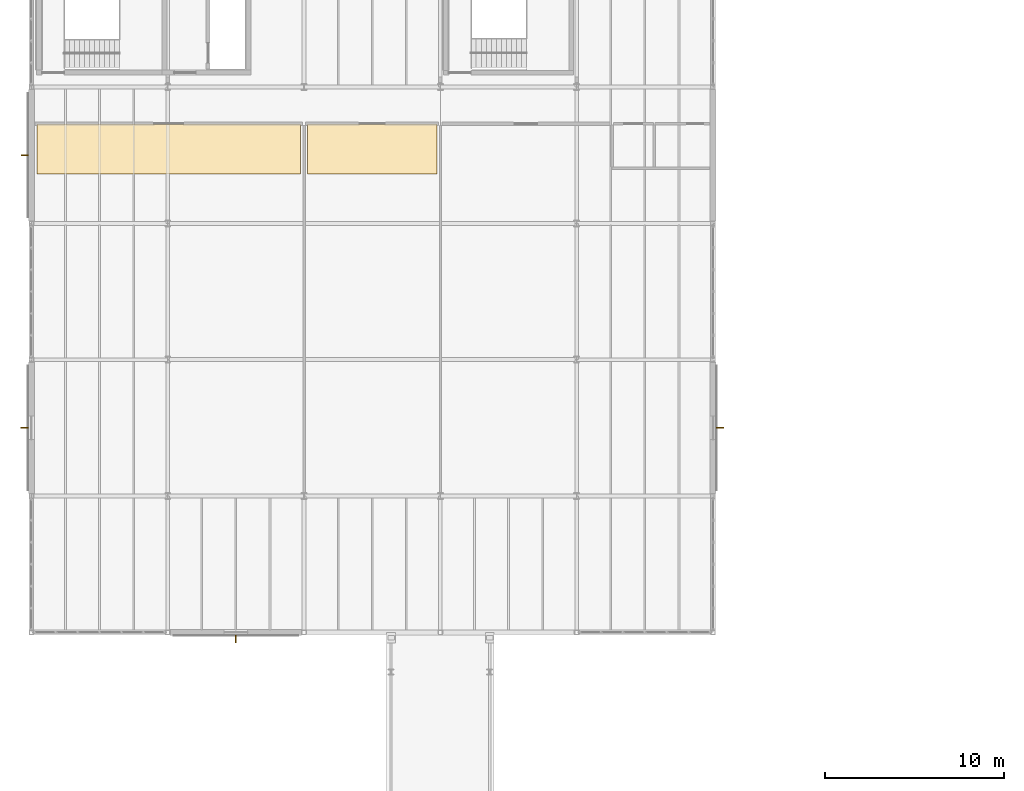
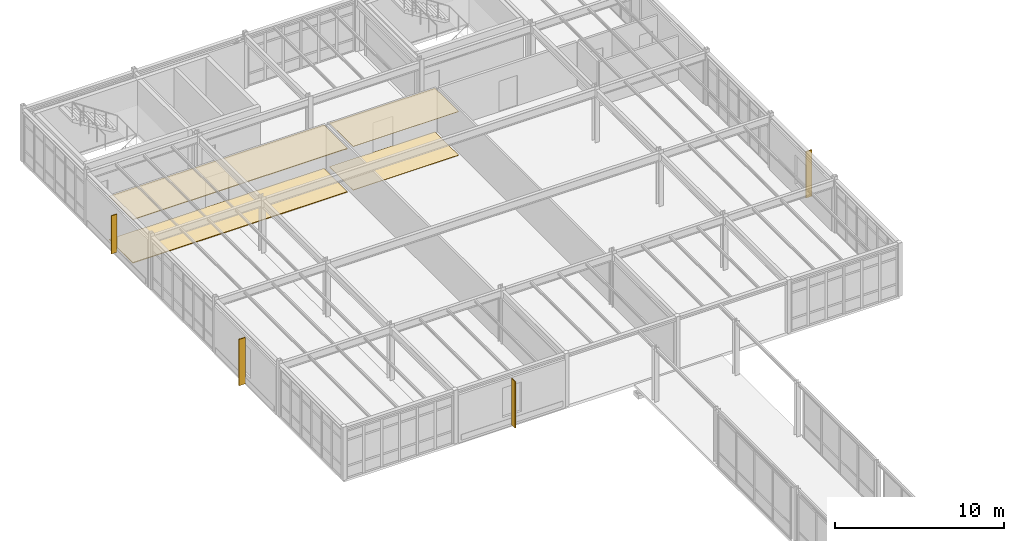
# One storey, part 180 of 189: 4 coverings, 4 shading devices.
"""IFC4 building model written with IfcOpenShell, lengths in metres."""

from ifc_helpers import new_model, si_unit, direction, frame, origin, origin_2d, place, context, subcontext, project, spatial, polyline, rectangle, outline, extrude, material, layer, layer_set, type_object, element, save


model = new_model("IFC4")

# Units and contexts
model_context = context("Model", 3, precision=1e-05, world=origin(), true_north=direction((0.0, 1.0)))
body_context = subcontext(model_context, "Body", "Model", "MODEL_VIEW")
ifc_project = project(units=[si_unit("LENGTHUNIT", "METRE"), si_unit("AREAUNIT", "SQUARE_METRE"), si_unit("VOLUMEUNIT", "CUBIC_METRE"), si_unit("PLANEANGLEUNIT", "RADIAN"), si_unit("MASSUNIT", "GRAM", prefix="KILO")], contexts=[model_context])

# Site, building, storey
site_placement = place(None, origin())
site = spatial("IfcSite", under=ifc_project, at=site_placement, CompositionType="ELEMENT")
building_placement = place(site_placement, origin())
building = spatial("IfcBuilding", under=site, at=building_placement, Name="Montecoro Central Library", CompositionType="ELEMENT")
storey_placement = place(building_placement, frame((0.0, 0.0, 9.179931640625)))
storey = spatial("IfcBuildingStorey", under=building, at=storey_placement, Name="L02", CompositionType="ELEMENT", Elevation=9.179931640625)

# Coverings
ifc_material_1 = material(Name="Acoustic perforated mineral ceiling")
ifc_layer_1 = layer(ifc_material_1, 0.02490234375)
ifc_layer_set_1 = layer_set([ifc_layer_1], Name="Acoustic perforated mineral ceiling")
covering_type_1 = type_object("IfcCoveringType", Name="COV-CLG-01", PredefinedType="CEILING", material=ifc_layer_set_1)
covering_1_placement = place(storey_placement, frame((0.0, 0.0, 3.155029296875)))
element("IfcCovering", 1, at=covering_1_placement, inside=storey, type_object=covering_type_1, Name="CLG-SP-V4-L02-R2P1", PredefinedType="CEILING", context=body_context, shape_type="SweptSolid", body=[
    extrude(outline(polyline([(20.389892578125, 98.949951171875), (27.610107421875, 98.949951171875), (27.610107421875, 101.75), (20.389892578125, 101.75), (20.389892578125, 98.949951171875)])), origin(), (0.0, 0.0, 1.0), 0.025146484375),
])
ifc_layer_2 = layer(ifc_material_1, 0.048095703125)
ifc_layer_set_2 = layer_set([ifc_layer_2], Name="Acoustic perforated mineral ceiling")
covering_type_2 = type_object("IfcCoveringType", Name="COV-CLG-04", PredefinedType="CEILING", material=ifc_layer_set_2)
covering_2_placement = place(storey_placement, frame((0.0, 0.0, 3.132080078125)))
element("IfcCovering", 2, at=covering_2_placement, inside=storey, type_object=covering_type_2, Name="CLG-SP-V4-L02-R1P1", PredefinedType="CEILING", context=body_context, shape_type="SweptSolid", body=[
    extrude(outline(polyline([(5.320068359375, 98.949951171875), (20.010009765625, 98.949951171875), (20.010009765625, 101.75), (5.320068359375, 101.75), (5.320068359375, 98.949951171875)])), origin(), (0.0, 0.0, 1.0), 0.048095703125),
])
ifc_material_2 = material(Name="Neapolitan brass-inlaid terrazzo flooring")
ifc_layer_3 = layer(ifc_material_2, 0.028076171875)
ifc_layer_set_3 = layer_set([ifc_layer_3], Name="Neapolitan brass-inlaid terrazzo flooring")
covering_type_3 = type_object("IfcCoveringType", Name="COV-FLR-01", PredefinedType="FLOORING", material=ifc_layer_set_3)
covering_3_placement = place(storey_placement, origin())
element("IfcCovering", 3, at=covering_3_placement, inside=storey, type_object=covering_type_3, Name="FLR-SP-V4-L02-R2P1", PredefinedType="FLOORING", context=body_context, shape_type="SweptSolid", body=[
    extrude(outline(polyline([(20.389892578125, 98.949951171875), (27.610107421875, 98.949951171875), (27.610107421875, 101.75), (20.389892578125, 101.75), (20.389892578125, 98.949951171875)])), origin(), (0.0, 0.0, 1.0), 0.028076171875),
])
ifc_layer_4 = layer(ifc_material_2, 0.052001953125)
ifc_layer_set_4 = layer_set([ifc_layer_4], Name="Neapolitan brass-inlaid terrazzo flooring")
covering_type_4 = type_object("IfcCoveringType", Name="COV-FLR-04", PredefinedType="FLOORING", material=ifc_layer_set_4)
covering_4_placement = place(storey_placement, origin())
element("IfcCovering", 4, at=covering_4_placement, inside=storey, type_object=covering_type_4, Name="FLR-SP-V4-L02-R1P1", PredefinedType="FLOORING", context=body_context, shape_type="SweptSolid", body=[
    extrude(outline(polyline([(5.320068359375, 98.949951171875), (20.010009765625, 98.949951171875), (20.010009765625, 101.75), (5.320068359375, 101.75), (5.320068359375, 98.949951171875)])), origin(), (0.0, 0.0, 1.0), 0.052001953125),
])

# Shading devices
ifc_material_3 = material(Name="Architectural bronze solar fin", Category="aluminium")
shading_device_type_1 = type_object("IfcShadingDeviceType", Name="SHD-FIN-09", PredefinedType="USERDEFINED", material=ifc_material_3)
for number, where, z_axis, x_axis, name in (
    (5, (16.39990234375, 73.01953125, 0.06005859375), (0.0, 0.0, 1.0), (1.0, 0.0, 0.0), "V4-L02-FIN-S1"),
    (6, (43.380615234375, 84.800048828125, 0.06005859375), (0.0, 0.0, 1.0), (0.0, 1.0, 0.0), "V4-L02-FIN-E1"),
    (7, (4.619384765625, 84.800048828125, 0.06005859375), (0.0, 0.0, 1.0), (0.0, -1.0, 0.0), "V4-L02-FIN-W1"),
):
    element("IfcShadingDevice", number, at=place(storey_placement, frame(where, z_axis=z_axis, x_axis=x_axis)), inside=storey, type_object=shading_device_type_1, Name=name, ObjectType="SOLAR FIN", PredefinedType="USERDEFINED", context=body_context, shape_type="SweptSolid", body=[
        extrude(rectangle(XDim=0.06005859375, YDim=0.419921875, at=origin_2d()), origin(), (0.0, 0.0, 1.0), 3.360107421875),
    ])
shading_device_type_2 = type_object("IfcShadingDeviceType", Name="SHD-FIN-11", PredefinedType="USERDEFINED", material=ifc_material_3)
shading_device_placement = place(storey_placement, frame((4.639404296875, 100.0, 0.364990234375), z_axis=(0.0, 0.0, 1.0), x_axis=(0.0, -1.0, 0.0)))
element("IfcShadingDevice", 8, at=shading_device_placement, inside=storey, type_object=shading_device_type_2, Name="V4-L02-FIN-W3", ObjectType="SOLAR FIN", PredefinedType="USERDEFINED", context=body_context, shape_type="SweptSolid", body=[
    extrude(rectangle(XDim=0.06005859375, YDim=0.3798828125, at=origin_2d()), origin(), (0.0, 0.0, 1.0), 2.75),
])

save(model, "model.ifc")
